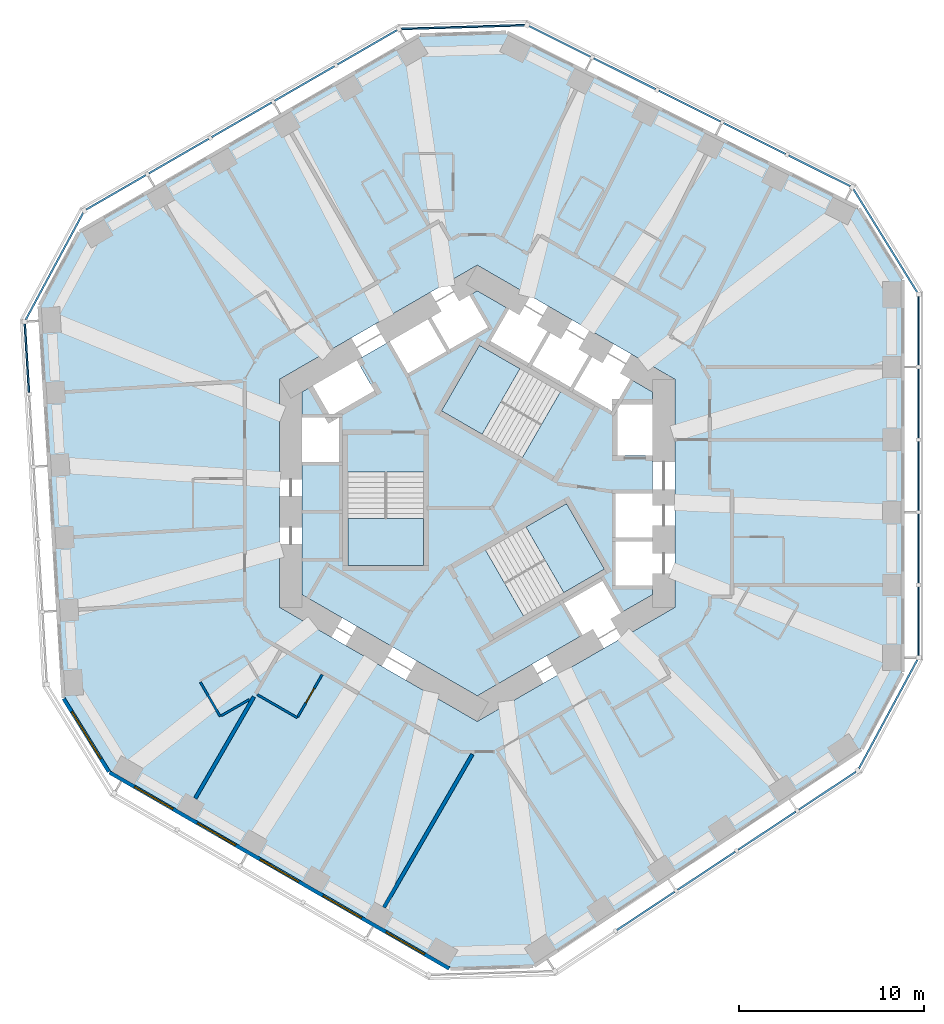
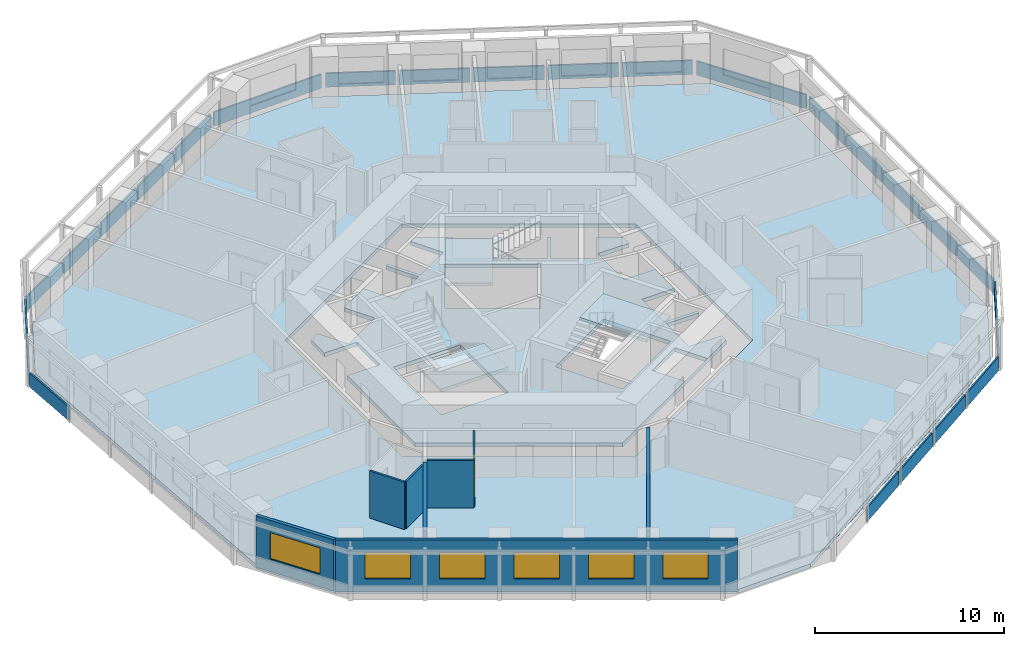
# One storey, part 3 of 12: 24 plates, 8 walls, 6 windows, 5 slabs, 1 door, 7 openings, 12 elements without a shape of their own.
"""IFC4 building model written with IfcOpenShell, lengths in metres."""

from ifc_helpers import new_model, si_unit, direction, frame, frame_2d, origin, origin_2d, place, context, subcontext, project, spatial, polyline, rectangle, outline, extrude, material, layer, layer_set, type_object, element, fill, aggregate, save


model = new_model("IFC4")

# Units and contexts
model_context = context("Model", 3, precision=1e-05, world=origin(), true_north=direction((0.0, 1.0)))
body_context = subcontext(model_context, "Body", "Model", "MODEL_VIEW")
ifc_project = project(units=[si_unit("LENGTHUNIT", "METRE"), si_unit("AREAUNIT", "SQUARE_METRE"), si_unit("VOLUMEUNIT", "CUBIC_METRE"), si_unit("PLANEANGLEUNIT", "RADIAN"), si_unit("MASSUNIT", "GRAM", prefix="KILO")], contexts=[model_context])

# Site, building, storey
site_placement = place(None, origin())
site = spatial("IfcSite", under=ifc_project, at=site_placement, CompositionType="ELEMENT")
building_placement = place(site_placement, origin())
building = spatial("IfcBuilding", under=site, at=building_placement, Name="Vanh Sen Convention Tower", CompositionType="ELEMENT")
storey_placement = place(building_placement, frame((0.0, 0.0, 63.800048828125)))
storey = spatial("IfcBuildingStorey", under=building, at=storey_placement, Name="L13", CompositionType="ELEMENT", Elevation=63.800048828125)

# Slabs
ifc_material_1 = material(Name="Concrete C40/50", Category="concrete")
ifc_layer_1 = layer(ifc_material_1, 0.25)
ifc_layer_set_1 = layer_set([ifc_layer_1], Name="Concrete C40/50")
slab_type_1 = type_object("IfcSlabType", Name="Core slab 250", PredefinedType="FLOOR", material=ifc_layer_set_1)
slab_1_placement = place(storey_placement, frame((0.0, 0.0, -0.25)))
element("IfcSlab", 1, at=slab_1_placement, inside=storey, type_object=slab_type_1, Name="Core slab L13", PredefinedType="FLOOR", context=body_context, shape_type="SweptSolid", body=[
    extrude(outline(polyline([(9.5, 5.48486328125), (9.5, 4.800048828125), (7.60009765625, 4.800048828125), (7.60009765625, 2.050048828125), (9.5, 2.050048828125), (9.5, 0.0), (7.5, 0.0), (7.5, -2.39990234375), (9.5, -2.39990234375), (9.5, -2.60009765625), (7.5, -2.60009765625), (7.5, -5.0), (9.5, -5.0), (9.5, -5.48486328125), (0.0, -10.9697265625), (-9.5, -5.48486328125), (-9.5, 1.699951171875), (-7.5, 1.699951171875), (-7.5, 4.10009765625), (-9.5, 4.10009765625), (-9.5, 5.48486328125), (-8.906982421875, 5.8271484375), (-7.956787109375, 4.181884765625), (-5.575439453125, 5.556884765625), (-6.525390625, 7.2021484375), (-4.75, 8.227294921875), (-3.75, 6.4951171875), (-1.67138671875, 7.6953125), (-2.67138671875, 9.42724609375), (-2.498291015625, 9.527099609375), (-1.498291015625, 7.795166015625), (0.580078125, 8.9951171875), (-0.419921875, 10.727294921875), (0.0, 10.9697265625), (1.718994140625, 9.977294921875), (0.718994140625, 8.2451171875), (2.79736328125, 7.045166015625), (3.79736328125, 8.777099609375), (3.970703125, 8.67724609375), (2.970703125, 6.9453125), (5.049072265625, 5.7451171875), (6.049072265625, 7.477294921875), (6.22216796875, 7.377197265625), (5.22216796875, 5.645263671875), (7.30078125, 4.4453125), (8.30078125, 6.17724609375), (9.5, 5.48486328125)]), holes=[polyline([(-7.0, 3.14990234375), (-7.0, -3.909912109375), (-2.89990234375, -3.909912109375), (-2.89990234375, 3.14990234375), (-2.89990234375, 1.1494140625), (-7.0, 1.1494140625), (-7.0, 3.14990234375)]), polyline([(4.495361328125, 5.487548828125), (6.22802734375, 4.4873046875), (0.11376953125, 8.01708984375), (-1.936279296875, 4.466552734375), (2.4453125, 1.936767578125), (4.495361328125, 5.487548828125)]), polyline([(7.781005859375, -6.477294921875), (6.781005859375, -4.7451171875), (4.70263671875, -5.9453125), (5.70263671875, -7.67724609375), (7.781005859375, -6.477294921875)]), polyline([(0.45458984375, -3.086181640625), (2.504638671875, -6.63671875), (6.88623046875, -4.107177734375), (4.836181640625, -0.556396484375), (-1.278076171875, -4.08642578125), (0.45458984375, -3.086181640625)])]), origin(), (0.0, 0.0, 1.0), 0.25),
])
ifc_layer_2 = layer(ifc_material_1, 0.25)
ifc_layer_set_2 = layer_set([ifc_layer_2], Name="Concrete C40/50")
slab_type_2 = type_object("IfcSlabType", Name="Floor slab 250 REI 120", PredefinedType="FLOOR", material=ifc_layer_set_2)
slab_2_placement = place(storey_placement, frame((0.0, 0.0, -0.25)))
element("IfcSlab", 2, at=slab_2_placement, inside=storey, type_object=slab_type_2, Name="Floor slab L13 tower", PredefinedType="FLOOR", context=body_context, shape_type="SweptSolid", body=[
    extrude(outline(polyline([(23.0, -9.69921875), (23.0, 11.57373046875), (20.620361328125, 15.419189453125), (1.58251953125, 24.911376953125), (-3.10009765625, 24.768310546875), (-21.523193359375, 14.131591796875), (-23.663818359375, 10.14794921875), (-22.364990234375, -11.085205078125), (-19.89990234375, -15.069091796875), (-1.476806640625, -25.705322265625), (3.04345703125, -25.5673828125), (20.78271484375, -13.825927734375), (23.0, -9.69921875)]), holes=[polyline([(0.0, 12.355224609375), (-10.699951171875, 6.177490234375), (-10.699951171875, -6.177490234375), (0.0, -12.355224609375), (10.699951171875, -6.177490234375), (10.699951171875, 6.177490234375), (0.0, 12.355224609375)])]), origin(), (0.0, 0.0, 1.0), 0.25),
])

# Curtain wall, plates
ifc_material_2 = material(Name="Concrete C50/60", Category="concrete")
curtain_wall_type = type_object("IfcCurtainWallType", Name="Outer skin hotel zone", PredefinedType="NOTDEFINED", material=ifc_material_2)
curtain_wall_1_placement = place(storey_placement, origin())
curtain_wall_1 = element("IfcCurtainWall", 3, at=curtain_wall_1_placement, inside=storey, type_object=curtain_wall_type, Name="OUTER SKIN E L13", PredefinedType="NOTDEFINED")
ifc_layer_3 = layer(ifc_material_2, 0.10009765625)
ifc_layer_set_3 = layer_set([ifc_layer_3], Name="Concrete C50/60")
plate_type = type_object("IfcPlateType", Name="Outer skin precast screen panel 100", PredefinedType="CURTAIN_PANEL", material=ifc_layer_set_3)
plate_1_placement = place(storey_placement, frame((23.89990234375, -6.91943359375, 0.0), z_axis=(0.0, 0.0, 1.0), x_axis=(0.0, 1.0, 0.0)))
plate_1 = element("IfcPlate", 4, at=plate_1_placement, type_object=plate_type, Name="OUTER SKIN screen panel E-1", PredefinedType="CURTAIN_PANEL", context=body_context, shape_type="SweptSolid", body=[
    extrude(rectangle(XDim=3.709716796875, YDim=0.10009765625, at=origin_2d()), origin(), (0.0, 0.0, 1.0), 0.89990234375),
])
plate_2_placement = place(storey_placement, frame((23.89990234375, -2.997314453125, 0.0), z_axis=(0.0, 0.0, 1.0), x_axis=(0.0, 1.0, 0.0)))
plate_2 = element("IfcPlate", 5, at=plate_2_placement, type_object=plate_type, Name="OUTER SKIN screen panel E-2", PredefinedType="CURTAIN_PANEL", context=body_context, shape_type="SweptSolid", body=[
    extrude(rectangle(XDim=3.734619140625, YDim=0.10009765625, at=origin_2d()), origin(), (0.0, 0.0, 1.0), 0.89990234375),
])
plate_3_placement = place(storey_placement, frame((23.89990234375, 0.937255859375, 0.0), z_axis=(0.0, 0.0, 1.0), x_axis=(0.0, 1.0, 0.0)))
plate_3 = element("IfcPlate", 6, at=plate_3_placement, type_object=plate_type, Name="OUTER SKIN screen panel E-3", PredefinedType="CURTAIN_PANEL", context=body_context, shape_type="SweptSolid", body=[
    extrude(rectangle(XDim=3.734619140625, YDim=0.10009765625, at=origin_2d()), origin(), (0.0, 0.0, 1.0), 0.89990234375),
])
plate_4_placement = place(storey_placement, frame((23.89990234375, 4.871826171875, 0.0), z_axis=(0.0, 0.0, 1.0), x_axis=(0.0, 1.0, 0.0)))
plate_4 = element("IfcPlate", 7, at=plate_4_placement, type_object=plate_type, Name="OUTER SKIN screen panel E-4", PredefinedType="CURTAIN_PANEL", context=body_context, shape_type="SweptSolid", body=[
    extrude(rectangle(XDim=3.734619140625, YDim=0.10009765625, at=origin_2d()), origin(), (0.0, 0.0, 1.0), 0.89990234375),
])
plate_5_placement = place(storey_placement, frame((23.89990234375, 8.7939453125, 0.0), z_axis=(0.0, 0.0, 1.0), x_axis=(0.0, 1.0, 0.0)))
plate_5 = element("IfcPlate", 8, at=plate_5_placement, type_object=plate_type, Name="OUTER SKIN screen panel E-5", PredefinedType="CURTAIN_PANEL", context=body_context, shape_type="SweptSolid", body=[
    extrude(rectangle(XDim=3.709716796875, YDim=0.10009765625, at=origin_2d()), origin(), (0.0, 0.0, 1.0), 0.89990234375),
])
aggregate(curtain_wall_1, [plate_1, plate_2, plate_3, plate_4, plate_5])

# Curtain wall, plate
curtain_wall_2_placement = place(storey_placement, origin())
curtain_wall_2 = element("IfcCurtainWall", 9, at=curtain_wall_2_placement, inside=storey, type_object=curtain_wall_type, Name="OUTER SKIN CH1 L13", PredefinedType="NOTDEFINED")
plate_6_placement = place(storey_placement, frame((22.102783203125, 13.677734375, 0.0), z_axis=(0.0, 0.0, 1.0), x_axis=(-0.526212439506, 0.850353143411, 0.0)))
plate_6 = element("IfcPlate", 10, at=plate_6_placement, type_object=plate_type, Name="OUTER SKIN screen panel CH1-1", PredefinedType="CURTAIN_PANEL", context=body_context, shape_type="SweptSolid", body=[
    extrude(rectangle(XDim=6.580078125, YDim=0.10009765625, at=origin_2d()), origin(), (0.0, 0.0, 1.0), 0.89990234375),
])
aggregate(curtain_wall_2, [plate_6])

# Curtain wall, plates
curtain_wall_3_placement = place(storey_placement, origin())
curtain_wall_3 = element("IfcCurtainWall", 11, at=curtain_wall_3_placement, inside=storey, type_object=curtain_wall_type, Name="OUTER SKIN NE L13", PredefinedType="NOTDEFINED")
plate_7_placement = place(storey_placement, frame((18.5341796875, 17.465087890625, 0.0), z_axis=(0.0, 0.0, 1.0), x_axis=(-0.894935140363, 0.446196251154, 0.0)))
plate_7 = element("IfcPlate", 12, at=plate_7_placement, type_object=plate_type, Name="OUTER SKIN screen panel NE-1", PredefinedType="CURTAIN_PANEL", context=body_context, shape_type="SweptSolid", body=[
    extrude(rectangle(XDim=3.709716796875, YDim=0.10009765625, at=origin_2d()), origin(), (0.0, 0.0, 1.0), 0.89990234375),
])
plate_8_placement = place(storey_placement, frame((15.024169921875, 19.215087890625, 0.0), z_axis=(0.0, 0.0, 1.0), x_axis=(-0.894935140363, 0.446196251154, 0.0)))
plate_8 = element("IfcPlate", 13, at=plate_8_placement, type_object=plate_type, Name="OUTER SKIN screen panel NE-2", PredefinedType="CURTAIN_PANEL", context=body_context, shape_type="SweptSolid", body=[
    extrude(rectangle(XDim=3.734619140625, YDim=0.10009765625, at=origin_2d()), origin(), (0.0, 0.0, 1.0), 0.89990234375),
])
plate_9_placement = place(storey_placement, frame((11.5029296875, 20.970703125, 0.0), z_axis=(0.0, 0.0, 1.0), x_axis=(-0.894935140363, 0.446196251154, 0.0)))
plate_9 = element("IfcPlate", 14, at=plate_9_placement, type_object=plate_type, Name="OUTER SKIN screen panel NE-3", PredefinedType="CURTAIN_PANEL", context=body_context, shape_type="SweptSolid", body=[
    extrude(rectangle(XDim=3.734619140625, YDim=0.10009765625, at=origin_2d()), origin(), (0.0, 0.0, 1.0), 0.89990234375),
])
plate_10_placement = place(storey_placement, frame((7.981689453125, 22.726318359375, 0.0), z_axis=(0.0, 0.0, 1.0), x_axis=(-0.894935140363, 0.446196251154, 0.0)))
plate_10 = element("IfcPlate", 15, at=plate_10_placement, type_object=plate_type, Name="OUTER SKIN screen panel NE-4", PredefinedType="CURTAIN_PANEL", context=body_context, shape_type="SweptSolid", body=[
    extrude(rectangle(XDim=3.734619140625, YDim=0.10009765625, at=origin_2d()), origin(), (0.0, 0.0, 1.0), 0.89990234375),
])
plate_11_placement = place(storey_placement, frame((4.4716796875, 24.476318359375, 0.0), z_axis=(0.0, 0.0, 1.0), x_axis=(-0.894935140363, 0.446196251154, 0.0)))
plate_11 = element("IfcPlate", 16, at=plate_11_placement, type_object=plate_type, Name="OUTER SKIN screen panel NE-5", PredefinedType="CURTAIN_PANEL", context=body_context, shape_type="SweptSolid", body=[
    extrude(rectangle(XDim=3.709716796875, YDim=0.10009765625, at=origin_2d()), origin(), (0.0, 0.0, 1.0), 0.89990234375),
])
aggregate(curtain_wall_3, [plate_7, plate_8, plate_9, plate_10, plate_11])

# Curtain wall, plate
curtain_wall_4_placement = place(storey_placement, origin())
curtain_wall_4 = element("IfcCurtainWall", 17, at=curtain_wall_4_placement, inside=storey, type_object=curtain_wall_type, Name="OUTER SKIN CH2 L13", PredefinedType="NOTDEFINED")
plate_12_placement = place(storey_placement, frame((-0.771484375, 25.253662109375, 0.0), z_axis=(0.0, 0.0, 1.0), x_axis=(-0.999533644135, -0.030536768695, 0.0)))
plate_12 = element("IfcPlate", 18, at=plate_12_placement, type_object=plate_type, Name="OUTER SKIN screen panel CH2-1", PredefinedType="CURTAIN_PANEL", context=body_context, shape_type="SweptSolid", body=[
    extrude(rectangle(XDim=6.696044921875, YDim=0.10009765625, at=origin_2d()), origin(), (0.0, 0.0, 1.0), 0.89990234375),
])
aggregate(curtain_wall_4, [plate_12])

# Curtain wall, plates
curtain_wall_5_placement = place(storey_placement, origin())
curtain_wall_5 = element("IfcCurtainWall", 19, at=curtain_wall_5_placement, inside=storey, type_object=curtain_wall_type, Name="OUTER SKIN NW L13", PredefinedType="NOTDEFINED")
plate_13_placement = place(storey_placement, frame((-5.95751953125, 24.15771484375, 0.0), z_axis=(0.0, 0.0, 1.0), x_axis=(-0.866028021766, -0.499995465495, 0.0)))
plate_13 = element("IfcPlate", 20, at=plate_13_placement, type_object=plate_type, Name="OUTER SKIN screen panel NW-1", PredefinedType="CURTAIN_PANEL", context=body_context, shape_type="SweptSolid", body=[
    extrude(rectangle(XDim=3.709716796875, YDim=0.10009765625, at=origin_2d()), origin(), (0.0, 0.0, 1.0), 0.89990234375),
])
plate_14_placement = place(storey_placement, frame((-9.354248046875, 22.19677734375, 0.0), z_axis=(0.0, 0.0, 1.0), x_axis=(-0.866021040428, -0.500007557478, 0.0)))
plate_14 = element("IfcPlate", 21, at=plate_14_placement, type_object=plate_type, Name="OUTER SKIN screen panel NW-2", PredefinedType="CURTAIN_PANEL", context=body_context, shape_type="SweptSolid", body=[
    extrude(rectangle(XDim=3.734619140625, YDim=0.10009765625, at=origin_2d()), origin(), (0.0, 0.0, 1.0), 0.89990234375),
])
plate_15_placement = place(storey_placement, frame((-12.76171875, 20.2294921875, 0.0), z_axis=(0.0, 0.0, 1.0), x_axis=(-0.866028021766, -0.499995465495, 0.0)))
plate_15 = element("IfcPlate", 22, at=plate_15_placement, type_object=plate_type, Name="OUTER SKIN screen panel NW-3", PredefinedType="CURTAIN_PANEL", context=body_context, shape_type="SweptSolid", body=[
    extrude(rectangle(XDim=3.734619140625, YDim=0.10009765625, at=origin_2d()), origin(), (0.0, 0.0, 1.0), 0.89990234375),
])
plate_16_placement = place(storey_placement, frame((-16.169189453125, 18.26220703125, 0.0), z_axis=(0.0, 0.0, 1.0), x_axis=(-0.866028021766, -0.499995465495, 0.0)))
plate_16 = element("IfcPlate", 23, at=plate_16_placement, type_object=plate_type, Name="OUTER SKIN screen panel NW-4", PredefinedType="CURTAIN_PANEL", context=body_context, shape_type="SweptSolid", body=[
    extrude(rectangle(XDim=3.734619140625, YDim=0.10009765625, at=origin_2d()), origin(), (0.0, 0.0, 1.0), 0.89990234375),
])
plate_17_placement = place(storey_placement, frame((-19.56591796875, 16.301025390625, 0.0), z_axis=(0.0, 0.0, 1.0), x_axis=(-0.866021040428, -0.500007557478, 0.0)))
plate_17 = element("IfcPlate", 24, at=plate_17_placement, type_object=plate_type, Name="OUTER SKIN screen panel NW-5", PredefinedType="CURTAIN_PANEL", context=body_context, shape_type="SweptSolid", body=[
    extrude(rectangle(XDim=3.70947265625, YDim=0.10009765625, at=origin_2d()), origin(), (0.0, 0.0, 1.0), 0.89990234375),
])
aggregate(curtain_wall_5, [plate_13, plate_14, plate_15, plate_16, plate_17])

# Curtain wall, plate
curtain_wall_6_placement = place(storey_placement, origin())
curtain_wall_6 = element("IfcCurtainWall", 25, at=curtain_wall_6_placement, inside=storey, type_object=curtain_wall_type, Name="OUTER SKIN CH3 L13", PredefinedType="NOTDEFINED")
plate_18_placement = place(storey_placement, frame((-22.896728515625, 12.302978515625, 0.0), z_axis=(0.0, 0.0, 1.0), x_axis=(-0.47331812974, -0.880891564303, 0.0)))
plate_18 = element("IfcPlate", 26, at=plate_18_placement, type_object=plate_type, Name="OUTER SKIN screen panel CH3-1", PredefinedType="CURTAIN_PANEL", context=body_context, shape_type="SweptSolid", body=[
    extrude(rectangle(XDim=6.580078125, YDim=0.10009765625, at=origin_2d()), origin(), (0.0, 0.0, 1.0), 0.89990234375),
])
aggregate(curtain_wall_6, [plate_18])

curtain_wall_7_placement = place(storey_placement, origin())
curtain_wall_7 = element("IfcCurtainWall", 27, at=curtain_wall_7_placement, inside=storey, type_object=curtain_wall_type, Name="OUTER SKIN W L13", PredefinedType="NOTDEFINED")
plate_19_placement = place(storey_placement, frame((-24.39208984375, 7.318603515625, 0.0), z_axis=(0.0, 0.0, 1.0), x_axis=(0.061046797461, -0.99813490497, 0.0)))
plate_19 = element("IfcPlate", 28, at=plate_19_placement, type_object=plate_type, Name="OUTER SKIN screen panel W-1", PredefinedType="CURTAIN_PANEL", context=body_context, shape_type="SweptSolid", body=[
    extrude(rectangle(XDim=3.709716796875, YDim=0.10009765625, at=origin_2d()), origin(), (0.0, 0.0, 1.0), 0.89990234375),
])
aggregate(curtain_wall_7, [plate_19])

# Curtain wall, plates
curtain_wall_8_placement = place(storey_placement, origin())
curtain_wall_8 = element("IfcCurtainWall", 29, at=curtain_wall_8_placement, inside=storey, type_object=curtain_wall_type, Name="OUTER SKIN SE L13", PredefinedType="NOTDEFINED")
plate_20_placement = place(storey_placement, frame((9.128662109375, -22.618896484375, 0.0), z_axis=(0.0, 0.0, 1.0), x_axis=(0.833891601892, 0.55192825285, 0.0)))
plate_20 = element("IfcPlate", 30, at=plate_20_placement, type_object=plate_type, Name="OUTER SKIN screen panel SE-2", PredefinedType="CURTAIN_PANEL", context=body_context, shape_type="SweptSolid", body=[
    extrude(rectangle(XDim=3.734619140625, YDim=0.10009765625, at=origin_2d()), origin(), (0.0, 0.0, 1.0), 0.89990234375),
])
plate_21_placement = place(storey_placement, frame((12.40966796875, -20.447265625, 0.0), z_axis=(0.0, 0.0, 1.0), x_axis=(0.833880042151, 0.551945717714, 0.0)))
plate_21 = element("IfcPlate", 31, at=plate_21_placement, type_object=plate_type, Name="OUTER SKIN screen panel SE-3", PredefinedType="CURTAIN_PANEL", context=body_context, shape_type="SweptSolid", body=[
    extrude(rectangle(XDim=3.734619140625, YDim=0.10009765625, at=origin_2d()), origin(), (0.0, 0.0, 1.0), 0.89990234375),
])
plate_22_placement = place(storey_placement, frame((15.690673828125, -18.275390625, 0.0), z_axis=(0.0, 0.0, 1.0), x_axis=(0.833891601892, 0.55192825285, 0.0)))
plate_22 = element("IfcPlate", 32, at=plate_22_placement, type_object=plate_type, Name="OUTER SKIN screen panel SE-4", PredefinedType="CURTAIN_PANEL", context=body_context, shape_type="SweptSolid", body=[
    extrude(rectangle(XDim=3.734619140625, YDim=0.10009765625, at=origin_2d()), origin(), (0.0, 0.0, 1.0), 0.89990234375),
])
plate_23_placement = place(storey_placement, frame((18.961181640625, -16.11083984375, 0.0), z_axis=(0.0, 0.0, 1.0), x_axis=(0.833880042151, 0.551945717714, 0.0)))
plate_23 = element("IfcPlate", 33, at=plate_23_placement, type_object=plate_type, Name="OUTER SKIN screen panel SE-5", PredefinedType="CURTAIN_PANEL", context=body_context, shape_type="SweptSolid", body=[
    extrude(rectangle(XDim=3.709716796875, YDim=0.10009765625, at=origin_2d()), origin(), (0.0, 0.0, 1.0), 0.89990234375),
])
aggregate(curtain_wall_8, [plate_20, plate_21, plate_22, plate_23])

# Curtain wall, plate
curtain_wall_9_placement = place(storey_placement, origin())
curtain_wall_9 = element("IfcCurtainWall", 34, at=curtain_wall_9_placement, inside=storey, type_object=curtain_wall_type, Name="OUTER SKIN CH6 L13", PredefinedType="NOTDEFINED")
plate_24_placement = place(storey_placement, frame((22.256103515625, -11.95849609375, 0.0), z_axis=(0.0, 0.0, 1.0), x_axis=(0.473322742071, 0.880889086003, 0.0)))
plate_24 = element("IfcPlate", 35, at=plate_24_placement, type_object=plate_type, Name="OUTER SKIN screen panel CH6-1", PredefinedType="CURTAIN_PANEL", context=body_context, shape_type="SweptSolid", body=[
    extrude(rectangle(XDim=6.6962890625, YDim=0.10009765625, at=origin_2d()), origin(), (0.0, 0.0, 1.0), 0.89990234375),
])
aggregate(curtain_wall_9, [plate_24])

# Stair, slab
ifc_material_3 = material(Name="Concrete C50/60", Category="concrete")
stair_type_1 = type_object("IfcStairType", Name="Exit stair ST1 20 risers at 165.0", PredefinedType="HALF_TURN_STAIR", material=ifc_material_3)
stair_1_placement = place(storey_placement, origin())
stair_1 = element("IfcStair", 36, at=stair_1_placement, inside=storey, type_object=stair_type_1, Name="Exit stair ST1 L13", PredefinedType="HALF_TURN_STAIR")
ifc_layer_4 = layer(ifc_material_1, 0.199951171875)
ifc_layer_set_4 = layer_set([ifc_layer_4], Name="Concrete C40/50")
slab_type_3 = type_object("IfcSlabType", Name="Stair landing 200", PredefinedType="LANDING", material=ifc_layer_set_4)
slab_3_placement = place(storey_placement, frame((0.0, 0.0, 1.449951171875)))
slab_3 = element("IfcSlab", 37, at=slab_3_placement, type_object=slab_type_3, Name="ST1 landing 1", PredefinedType="LANDING", context=body_context, shape_type="SweptSolid", body=[
    extrude(outline(polyline([(2.314208984375, 6.746826171875), (0.11376953125, 8.01708984375), (-1.936279296875, 4.466552734375), (0.26416015625, 3.196044921875), (2.314208984375, 6.746826171875)])), origin(), (0.0, 0.0, 1.0), 0.199951171875),
])
aggregate(stair_1, [slab_3])

stair_type_2 = type_object("IfcStairType", Name="Exit stair ST2 20 risers at 165.0", PredefinedType="HALF_TURN_STAIR", material=ifc_material_3)
stair_2_placement = place(storey_placement, origin())
stair_2 = element("IfcStair", 38, at=stair_2_placement, inside=storey, type_object=stair_type_2, Name="Exit stair ST2 L13", PredefinedType="HALF_TURN_STAIR")
slab_4_placement = place(storey_placement, frame((0.0, 0.0, 1.449951171875)))
slab_4 = element("IfcSlab", 39, at=slab_4_placement, type_object=slab_type_3, Name="ST2 landing 1", PredefinedType="LANDING", context=body_context, shape_type="SweptSolid", body=[
    extrude(outline(polyline([(-7.0, -1.369384765625), (-7.0, -3.909912109375), (-2.89990234375, -3.909912109375), (-2.89990234375, -1.369384765625), (-7.0, -1.369384765625)])), origin(), (0.0, 0.0, 1.0), 0.199951171875),
])
aggregate(stair_2, [slab_4])

stair_type_3 = type_object("IfcStairType", Name="Exit stair ST3 20 risers at 165.0", PredefinedType="HALF_TURN_STAIR", material=ifc_material_3)
stair_3_placement = place(storey_placement, origin())
stair_3 = element("IfcStair", 40, at=stair_3_placement, inside=storey, type_object=stair_type_3, Name="Exit stair ST3 L13", PredefinedType="HALF_TURN_STAIR")
slab_5_placement = place(storey_placement, frame((0.0, 0.0, 1.449951171875)))
slab_5 = element("IfcSlab", 41, at=slab_5_placement, type_object=slab_type_3, Name="ST3 landing 1", PredefinedType="LANDING", context=body_context, shape_type="SweptSolid", body=[
    extrude(outline(polyline([(4.685791015625, -5.37744140625), (6.88623046875, -4.107177734375), (4.836181640625, -0.556396484375), (2.6357421875, -1.826904296875), (4.685791015625, -5.37744140625)])), origin(), (0.0, 0.0, 1.0), 0.199951171875),
])
aggregate(stair_3, [slab_5])

# Walls
ifc_material_4 = material(Name="Moisture-resistant gypsum board on steel studs", Category="steel")
ifc_layer_5 = layer(ifc_material_4, 0.1201171875)
ifc_layer_set_5 = layer_set([ifc_layer_5], Name="Moisture-resistant gypsum board on steel studs")
wall_type_1 = type_object("IfcWallType", Name="Bathroom partition 120", PredefinedType="PARTITIONING", material=ifc_layer_set_5)
wall_1_placement = place(storey_placement, frame((-13.92578125, -12.081298828125, 0.0), z_axis=(0.0, 0.0, 1.0), x_axis=(-0.499992422807, 0.866029778435, 0.0)))
element("IfcWall", 42, at=wall_1_placement, inside=storey, type_object=wall_type_1, Name="Bathroom partition 120", PredefinedType="PARTITIONING", context=body_context, shape_type="SweptSolid", body=[
    extrude(rectangle(XDim=2.1396484375, YDim=0.1201171875, at=frame_2d((1.06982421875, 0.0))), origin(), (0.0, 0.0, 1.0), 3.050048828125),
])
wall_2_placement = place(storey_placement, frame((-12.341552734375, -11.166748046875, 0.0), z_axis=(0.0, 0.0, 1.0), x_axis=(-0.865992557167, -0.500056887695, 0.0)))
element("IfcWall", 43, at=wall_2_placement, inside=storey, type_object=wall_type_1, Name="Bathroom partition 120", PredefinedType="PARTITIONING", context=body_context, shape_type="SweptSolid", body=[
    extrude(rectangle(XDim=1.769287109375, YDim=0.1201171875, at=frame_2d((0.884765625, 0.0))), origin(), (0.0, 0.0, 1.0), 3.050048828125),
])
wall_3_placement = place(storey_placement, frame((-9.747802734375, -12.154541015625, 0.0), z_axis=(0.0, 0.0, 1.0), x_axis=(-0.866022959057, 0.500004234368, 0.0)))
element("IfcWall", 44, at=wall_3_placement, inside=storey, type_object=wall_type_1, Name="Bathroom partition 120", PredefinedType="PARTITIONING", context=body_context, shape_type="SweptSolid", body=[
    extrude(rectangle(XDim=2.5, YDim=0.1201171875, at=frame_2d((1.25, 0.0))), origin(), (0.0, 0.0, 1.0), 3.050048828125),
])

# Wall, opening, door
wall_4_placement = place(storey_placement, frame((-8.397705078125, -9.816162109375, 0.0), z_axis=(0.0, 0.0, 1.0), x_axis=(-0.500007957085, -0.86602080971, 0.0)))
wall_4 = element("IfcWall", 45, at=wall_4_placement, inside=storey, type_object=wall_type_1, Name="Bathroom partition 120", PredefinedType="PARTITIONING", context=body_context, shape_type="SweptSolid", body=[
    extrude(rectangle(XDim=2.64013671875, YDim=0.1201171875, at=frame_2d((1.320068359375, 0.0))), origin(), (0.0, 0.0, 1.0), 3.050048828125),
])
opening_1_placement = place(wall_4_placement, frame((0.8701171875, 0.0, 0.0)))
opening_1 = element("IfcOpeningElement", 46, at=opening_1_placement, cuts=wall_4, Name="Opening D13125", PredefinedType="OPENING", context=body_context, shape_type="SweptSolid", body=[
    extrude(rectangle(XDim=0.89990234375, YDim=2.10009765625, at=frame_2d((0.449951171875, 1.050048828125))), frame((0.0, 0.070068359375, 0.0), z_axis=(0.0, -1.0, 0.0), x_axis=(1.0, 0.0, 0.0)), (0.0, 0.0, 1.0), 0.14013671875),
])
ifc_material_5 = material(Name="Laminate door in steel frame", Category="steel")
door_type = type_object("IfcDoorType", Name="En-suite door 900", OperationType="SINGLE_SWING_LEFT", PredefinedType="DOOR", material=ifc_material_5)
door_placement = place(opening_1_placement, origin())
door = element("IfcDoor", 47, at=door_placement, inside=storey, type_object=door_type, Name="En-suite door D13125", OperationType="SINGLE_SWING_LEFT", OverallHeight=2.10009765625, OverallWidth=0.89990234375, PredefinedType="DOOR", context=body_context, shape_type="SweptSolid", body=[
    extrude(rectangle(XDim=0.89990234375, YDim=2.10009765625, at=frame_2d((0.449951171875, 1.050048828125))), frame((0.0, 0.02490234375, 0.0), z_axis=(0.0, -1.0, 0.0), x_axis=(1.0, 0.0, 0.0)), (0.0, 0.0, 1.0), 0.050048828125),
])
fill(opening_1, door)

# Wall, opening, window
ifc_material_6 = material(Name="Insulated lightweight infill wall")
ifc_layer_6 = layer(ifc_material_6, 0.199951171875)
ifc_layer_set_6 = layer_set([ifc_layer_6], Name="Insulated lightweight infill wall")
wall_type_2 = type_object("IfcWallType", Name="External wall 200", PredefinedType="STANDARD", material=ifc_layer_set_6)
wall_5_placement = place(storey_placement, frame((-22.40087890625, -11.122314453125, 0.0), z_axis=(0.0, 0.0, 1.0), x_axis=(0.526197679914, -0.850362276711, 0.0)))
wall_5 = element("IfcWall", 48, at=wall_5_placement, inside=storey, type_object=wall_type_2, Name="External wall CH4 L13", PredefinedType="STANDARD", context=body_context, shape_type="SweptSolid", body=[
    extrude(rectangle(XDim=4.65966796875, YDim=0.199951171875, at=frame_2d((2.329833984375, 0.0))), origin(), (0.0, 0.0, 1.0), 3.300048828125),
])
opening_2_placement = place(wall_5_placement, frame((0.829833984375, 0.0, 0.800048828125)))
opening_2 = element("IfcOpeningElement", 49, at=opening_2_placement, cuts=wall_5, Name="Opening WH2-CH41", PredefinedType="OPENING", context=body_context, shape_type="SweptSolid", body=[
    extrude(rectangle(XDim=3.0, YDim=1.699951171875, at=frame_2d((1.5, 0.85009765625))), frame((0.0, 0.10986328125, 0.0), z_axis=(0.0, -1.0, 0.0), x_axis=(1.0, 0.0, 0.0)), (0.0, 0.0, 1.0), 0.219970703125),
])
ifc_material_7 = material(Name="Aluminium frame with clear low-emissivity glass", Category="aluminium")
window_type_1 = type_object("IfcWindowType", Name="Hotel window 3000 x 1700", PartitioningType="SINGLE_PANEL", PredefinedType="WINDOW", material=ifc_material_7)
window_1_placement = place(opening_2_placement, origin())
window_1 = element("IfcWindow", 50, at=window_1_placement, inside=storey, type_object=window_type_1, Name="Window WH2-CH41", OverallHeight=1.699951171875, OverallWidth=3.0, PartitioningType="SINGLE_PANEL", PredefinedType="WINDOW", context=body_context, shape_type="SweptSolid", body=[
    extrude(rectangle(XDim=3.0, YDim=1.699951171875, at=frame_2d((1.5, 0.85009765625))), frame((0.0, 0.030029296875, 0.0), z_axis=(0.0, -1.0, 0.0), x_axis=(1.0, 0.0, 0.0)), (0.0, 0.0, 1.0), 0.06005859375),
])
fill(opening_2, window_1)

# Wall, openings, windows
wall_6_placement = place(storey_placement, frame((-19.913818359375, -15.11865234375, 0.0), z_axis=(0.0, 0.0, 1.0), x_axis=(0.866025418898, -0.499999973822, 0.0)))
wall_6 = element("IfcWall", 51, at=wall_6_placement, inside=storey, type_object=wall_type_2, Name="External wall SW L13", PredefinedType="STANDARD", context=body_context, shape_type="SweptSolid", body=[
    extrude(rectangle(XDim=21.24609375, YDim=0.199951171875, at=frame_2d((10.623046875, 0.0))), origin(), (0.0, 0.0, 1.0), 3.300048828125),
])
opening_3_placement = place(wall_6_placement, frame((1.5546875, 0.0, 0.800048828125)))
opening_3 = element("IfcOpeningElement", 52, at=opening_3_placement, cuts=wall_6, Name="Opening WH1-SW1", PredefinedType="OPENING", context=body_context, shape_type="SweptSolid", body=[
    extrude(rectangle(XDim=2.39990234375, YDim=1.699951171875, at=frame_2d((1.199951171875, 0.85009765625))), frame((0.0, 0.10986328125, 0.0), z_axis=(0.0, -1.0, 0.0), x_axis=(1.0, 0.0, 0.0)), (0.0, 0.0, 1.0), 0.219970703125),
])
opening_4_placement = place(wall_6_placement, frame((5.4892578125, 0.0, 0.800048828125)))
opening_4 = element("IfcOpeningElement", 53, at=opening_4_placement, cuts=wall_6, Name="Opening WH1-SW2", PredefinedType="OPENING", context=body_context, shape_type="SweptSolid", body=[
    extrude(rectangle(XDim=2.39990234375, YDim=1.699951171875, at=frame_2d((1.199951171875, 0.85009765625))), frame((0.0, 0.10986328125, 0.0), z_axis=(0.0, -1.0, 0.0), x_axis=(1.0, 0.0, 0.0)), (0.0, 0.0, 1.0), 0.219970703125),
])
opening_5_placement = place(wall_6_placement, frame((9.423828125, 0.0, 0.800048828125)))
opening_5 = element("IfcOpeningElement", 54, at=opening_5_placement, cuts=wall_6, Name="Opening WH1-SW3", PredefinedType="OPENING", context=body_context, shape_type="SweptSolid", body=[
    extrude(rectangle(XDim=2.39990234375, YDim=1.699951171875, at=frame_2d((1.199951171875, 0.85009765625))), frame((0.0, 0.10986328125, 0.0), z_axis=(0.0, -1.0, 0.0), x_axis=(1.0, 0.0, 0.0)), (0.0, 0.0, 1.0), 0.219970703125),
])
opening_6_placement = place(wall_6_placement, frame((13.3583984375, 0.0, 0.800048828125)))
opening_6 = element("IfcOpeningElement", 55, at=opening_6_placement, cuts=wall_6, Name="Opening WH1-SW4", PredefinedType="OPENING", context=body_context, shape_type="SweptSolid", body=[
    extrude(rectangle(XDim=2.39990234375, YDim=1.699951171875, at=frame_2d((1.199951171875, 0.85009765625))), frame((0.0, 0.10986328125, 0.0), z_axis=(0.0, -1.0, 0.0), x_axis=(1.0, 0.0, 0.0)), (0.0, 0.0, 1.0), 0.219970703125),
])
opening_7_placement = place(wall_6_placement, frame((17.293212890625, 0.0, 0.800048828125)))
opening_7 = element("IfcOpeningElement", 56, at=opening_7_placement, cuts=wall_6, Name="Opening WH1-SW5", PredefinedType="OPENING", context=body_context, shape_type="SweptSolid", body=[
    extrude(rectangle(XDim=2.39990234375, YDim=1.699951171875, at=frame_2d((1.199951171875, 0.85009765625))), frame((0.0, 0.10986328125, 0.0), z_axis=(0.0, -1.0, 0.0), x_axis=(1.0, 0.0, 0.0)), (0.0, 0.0, 1.0), 0.219970703125),
])
window_type_2 = type_object("IfcWindowType", Name="Hotel window 2400 x 1700", PartitioningType="SINGLE_PANEL", PredefinedType="WINDOW", material=ifc_material_7)
window_2_placement = place(opening_3_placement, origin())
window_2 = element("IfcWindow", 57, at=window_2_placement, inside=storey, type_object=window_type_2, Name="Window WH1-SW1", OverallHeight=1.699951171875, OverallWidth=2.39990234375, PartitioningType="SINGLE_PANEL", PredefinedType="WINDOW", context=body_context, shape_type="SweptSolid", body=[
    extrude(rectangle(XDim=2.39990234375, YDim=1.699951171875, at=frame_2d((1.199951171875, 0.85009765625))), frame((0.0, 0.030029296875, 0.0), z_axis=(0.0, -1.0, 0.0), x_axis=(1.0, 0.0, 0.0)), (0.0, 0.0, 1.0), 0.06005859375),
])
fill(opening_3, window_2)
window_3_placement = place(opening_4_placement, origin())
window_3 = element("IfcWindow", 58, at=window_3_placement, inside=storey, type_object=window_type_2, Name="Window WH1-SW2", OverallHeight=1.699951171875, OverallWidth=2.39990234375, PartitioningType="SINGLE_PANEL", PredefinedType="WINDOW", context=body_context, shape_type="SweptSolid", body=[
    extrude(rectangle(XDim=2.39990234375, YDim=1.699951171875, at=frame_2d((1.199951171875, 0.85009765625))), frame((0.0, 0.030029296875, 0.0), z_axis=(0.0, -1.0, 0.0), x_axis=(1.0, 0.0, 0.0)), (0.0, 0.0, 1.0), 0.06005859375),
])
fill(opening_4, window_3)
window_4_placement = place(opening_5_placement, origin())
window_4 = element("IfcWindow", 59, at=window_4_placement, inside=storey, type_object=window_type_2, Name="Window WH1-SW3", OverallHeight=1.699951171875, OverallWidth=2.39990234375, PartitioningType="SINGLE_PANEL", PredefinedType="WINDOW", context=body_context, shape_type="SweptSolid", body=[
    extrude(rectangle(XDim=2.39990234375, YDim=1.699951171875, at=frame_2d((1.199951171875, 0.85009765625))), frame((0.0, 0.030029296875, 0.0), z_axis=(0.0, -1.0, 0.0), x_axis=(1.0, 0.0, 0.0)), (0.0, 0.0, 1.0), 0.06005859375),
])
fill(opening_5, window_4)
window_5_placement = place(opening_6_placement, origin())
window_5 = element("IfcWindow", 60, at=window_5_placement, inside=storey, type_object=window_type_2, Name="Window WH1-SW4", OverallHeight=1.699951171875, OverallWidth=2.39990234375, PartitioningType="SINGLE_PANEL", PredefinedType="WINDOW", context=body_context, shape_type="SweptSolid", body=[
    extrude(rectangle(XDim=2.39990234375, YDim=1.699951171875, at=frame_2d((1.199951171875, 0.85009765625))), frame((0.0, 0.030029296875, 0.0), z_axis=(0.0, -1.0, 0.0), x_axis=(1.0, 0.0, 0.0)), (0.0, 0.0, 1.0), 0.06005859375),
])
fill(opening_6, window_5)
window_6_placement = place(opening_7_placement, origin())
window_6 = element("IfcWindow", 61, at=window_6_placement, inside=storey, type_object=window_type_2, Name="Window WH1-SW5", OverallHeight=1.699951171875, OverallWidth=2.39990234375, PartitioningType="SINGLE_PANEL", PredefinedType="WINDOW", context=body_context, shape_type="SweptSolid", body=[
    extrude(rectangle(XDim=2.39990234375, YDim=1.699951171875, at=frame_2d((1.199951171875, 0.85009765625))), frame((0.0, 0.030029296875, 0.0), z_axis=(0.0, -1.0, 0.0), x_axis=(1.0, 0.0, 0.0)), (0.0, 0.0, 1.0), 0.06005859375),
])
fill(opening_7, window_6)

# Walls
ifc_material_8 = material(Name="Gypsum board on steel studs with mineral wool", Category="steel")
ifc_layer_7 = layer(ifc_material_8, 0.199951171875)
ifc_layer_set_7 = layer_set([ifc_layer_7], Name="Gypsum board on steel studs with mineral wool")
wall_type_3 = type_object("IfcWallType", Name="Hotel party wall 200", PredefinedType="PARTITIONING", material=ifc_layer_set_7)
wall_7_placement = place(storey_placement, frame((-15.2744140625, -16.527099609375, 0.0), z_axis=(0.0, 0.0, 1.0), x_axis=(0.499995225238, 0.866028160477, 0.0)))
element("IfcWall", 62, at=wall_7_placement, inside=storey, type_object=wall_type_3, Name="Hotel party wall 200", PredefinedType="PARTITIONING", context=body_context, shape_type="SweptSolid", body=[
    extrude(rectangle(XDim=6.35302734375, YDim=0.199951171875, at=frame_2d((3.176513671875, 0.0))), origin(), (0.0, 0.0, 1.0), 3.050048828125),
])
wall_8_placement = place(storey_placement, frame((-5.052001953125, -22.4287109375, 0.0), z_axis=(0.0, 0.0, 1.0), x_axis=(0.500004329283, 0.866022904257, 0.0)))
element("IfcWall", 63, at=wall_8_placement, inside=storey, type_object=wall_type_3, Name="Hotel party wall 200", PredefinedType="PARTITIONING", context=body_context, shape_type="SweptSolid", body=[
    extrude(rectangle(XDim=9.57177734375, YDim=0.199951171875, at=frame_2d((4.785888671875, 0.0))), origin(), (0.0, 0.0, 1.0), 3.050048828125),
])

save(model, "model.ifc")
